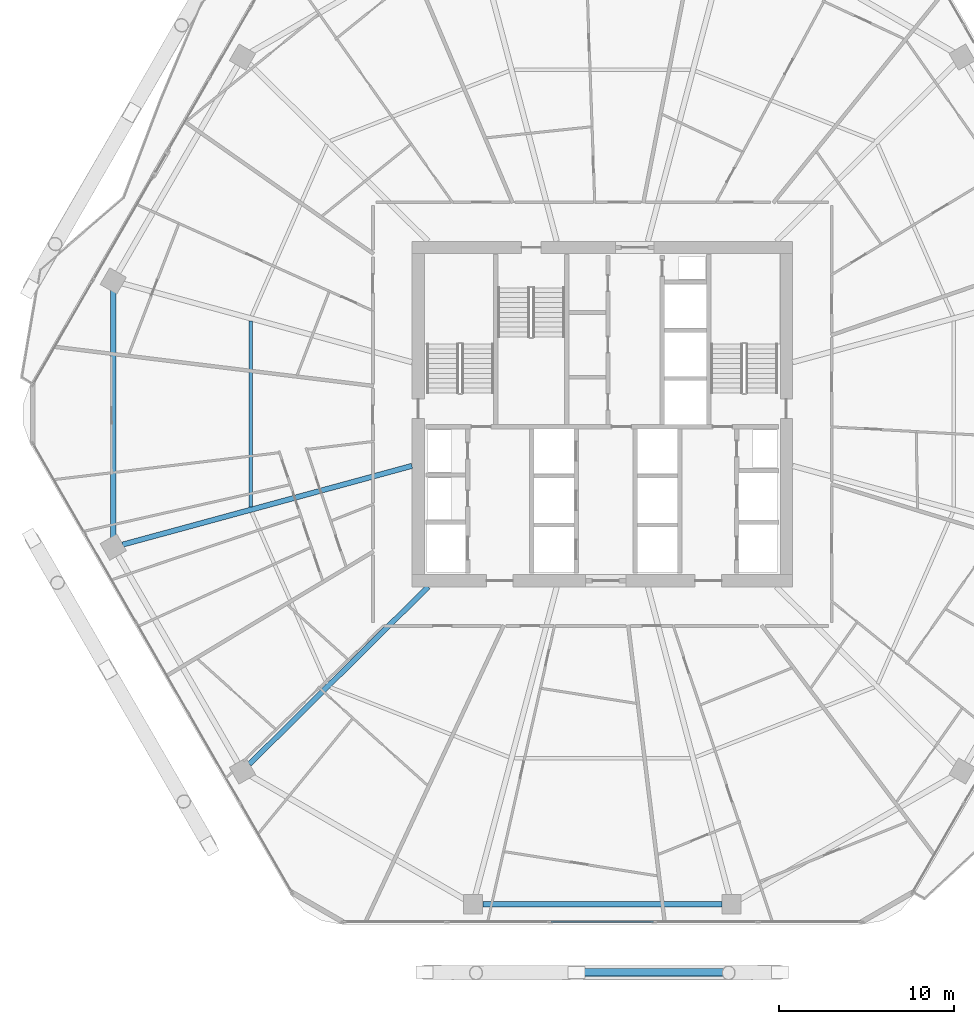
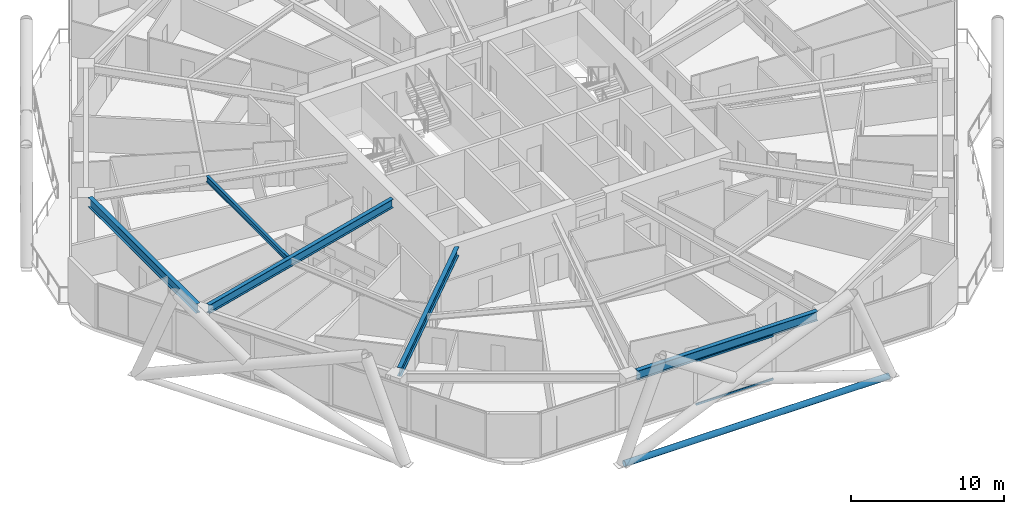
# One storey, part 7 of 36: 5 beams, 3 members, 1 element without a shape of its own.
"""IFC4 building model written with IfcOpenShell, lengths in metres."""

import ifcopenshell
import ifcopenshell.guid

model = None  # the IFC model being written
_history = None  # IfcOwnerHistory: only IFC2X3 demands one
_inside = {}  # id of a spatial element -> (the spatial element, [elements in it])
_under = {}  # id of a project, library or spatial element -> (it, [spatial elements below it])
_declared = {}  # id of a project -> (the project, [libraries it declares])
_typed = {}  # id of a type object -> (the type object, [elements of that type])
_made_of = {}  # id of a material, layer set ... -> (it, [elements and type objects made of it])


def new_model(schema):
    """Start an empty IFC model of exactly this schema.

    Asked for "IFC4X3", IfcOpenShell would pick the latest addendum, in which some entities
    have other attributes; the version numbers below select the first issue.
    IFC2X3 requires an IfcOwnerHistory on every rooted entity: one is made here for all.
    """
    global model, _history
    if schema == "IFC4X3":
        model = ifcopenshell.file(schema_version=(4, 3, 0, 0))
    else:
        model = ifcopenshell.file(schema=schema)
    _inside.clear()
    _under.clear()
    _declared.clear()
    _typed.clear()
    _made_of.clear()
    _history = None
    if model.schema == "IFC2X3":
        org = make("IfcOrganization", Name="unknown")
        user = make(
            "IfcPersonAndOrganization",
            ThePerson=make("IfcPerson", FamilyName="unknown"),
            TheOrganization=org,
        )
        app = make(
            "IfcApplication",
            ApplicationDeveloper=org,
            Version="unknown",
            ApplicationFullName="unknown",
            ApplicationIdentifier="unknown",
        )
        _history = make(
            "IfcOwnerHistory",
            OwningUser=user,
            OwningApplication=app,
            ChangeAction="ADDED",
            CreationDate=0,
        )
    return model


def make(cls, **values):
    """One entity of the class cls with the attributes given. An attribute that is None is left unset."""
    return model.create_entity(
        cls, **{name: value for name, value in values.items() if value is not None}
    )


def rooted(cls, **values):
    """An entity with a GlobalId (a new one), such as an element, a storey or a relation."""
    return make(cls, GlobalId=ifcopenshell.guid.new(), OwnerHistory=_history, **values)


def si_unit(unit_type, name, prefix=None):
    """IfcSIUnit, for example si_unit("LENGTHUNIT", "METRE", prefix="MILLI")."""
    return make("IfcSIUnit", UnitType=unit_type, Prefix=prefix, Name=name)


def assignment(units):
    """IfcUnitAssignment: the units of a project."""
    return None if units is None else make("IfcUnitAssignment", Units=units)


def point(xyz):
    """IfcCartesianPoint."""
    return None if xyz is None else make("IfcCartesianPoint", Coordinates=xyz)


def direction(xyz):
    """IfcDirection."""
    return None if xyz is None else make("IfcDirection", DirectionRatios=xyz)


def frame(location, z_axis=None, x_axis=None):
    """IfcAxis2Placement3D, a coordinate frame: its origin and axes. An axis left out is left unset."""
    return make(
        "IfcAxis2Placement3D",
        Location=point(location),
        Axis=direction(z_axis),
        RefDirection=direction(x_axis),
    )


def frame_2d(location, x_axis=None):
    """IfcAxis2Placement2D, a coordinate frame in the plane: its origin and x axis."""
    return make(
        "IfcAxis2Placement2D", Location=point(location), RefDirection=direction(x_axis)
    )


def origin():
    """The frame at (0, 0, 0) with its axes left unset."""
    return frame((0.0, 0.0, 0.0))


def origin_2d():
    """The frame at (0, 0) in the plane with its x axis left unset."""
    return frame_2d((0.0, 0.0))


def place(relative_to, where):
    """IfcLocalPlacement: puts the frame where relative to a parent placement (None: the world)."""
    return make(
        "IfcLocalPlacement", PlacementRelTo=relative_to, RelativePlacement=where
    )


def context(
    kind, dimensions, precision=None, world=None, true_north=None, identifier=None
):
    """IfcGeometricRepresentationContext, for example the 3D "Model" context."""
    return make(
        "IfcGeometricRepresentationContext",
        ContextIdentifier=identifier,
        ContextType=kind,
        CoordinateSpaceDimension=dimensions,
        Precision=precision,
        WorldCoordinateSystem=world,
        TrueNorth=true_north,
    )


def subcontext(parent, identifier, kind, view, scale=None):
    """IfcGeometricRepresentationSubContext, for example "Body" below "Model"."""
    return make(
        "IfcGeometricRepresentationSubContext",
        ContextIdentifier=identifier,
        ContextType=kind,
        ParentContext=parent,
        TargetScale=scale,
        TargetView=view,
    )


def project(units=None, contexts=None):
    """IfcProject with its units and contexts."""
    return rooted(
        "IfcProject",
        Name="project",
        RepresentationContexts=contexts,
        UnitsInContext=assignment(units),
    )


def spatial(cls, under=None, at=None, **own):
    """A site, building, storey or space (cls), placed at a placement, below another one or the project."""
    s = rooted(cls, ObjectPlacement=at, **own)
    if under is not None:
        _under.setdefault(under.id(), (under, []))[1].append(s)
    return s


def profile(cls, at=None, kind="AREA", **sizes):
    """A parametric profile (cls). Its sizes go by their IFC names, for example OverallWidth=200.0."""
    return make(cls, ProfileType=kind, Position=at, **sizes)


def hollow_rectangle(**sizes):
    """IfcRectangleHollowProfileDef."""
    return profile("IfcRectangleHollowProfileDef", **sizes)


def hollow_circle(**sizes):
    """IfcCircleHollowProfileDef."""
    return profile("IfcCircleHollowProfileDef", **sizes)


def i_section(**sizes):
    """IfcIShapeProfileDef."""
    return profile("IfcIShapeProfileDef", **sizes)


def extrude(swept, where, along, depth):
    """IfcExtrudedAreaSolid: the profile swept, set in the frame where, extruded along a direction by depth."""
    return make(
        "IfcExtrudedAreaSolid",
        SweptArea=swept,
        Position=where,
        ExtrudedDirection=direction(along),
        Depth=depth,
    )


def shape(context_of_items, identifier, shape_type, items):
    """IfcShapeRepresentation: the items that make up one representation, for example the "Body"."""
    return make(
        "IfcShapeRepresentation",
        ContextOfItems=context_of_items,
        RepresentationIdentifier=identifier,
        RepresentationType=shape_type,
        Items=items,
    )


def material(Name=None, Category=None):
    """IfcMaterial."""
    return make("IfcMaterial", Name=Name, Category=Category)


def material_profile(
    of_material, cross_section, Name=None, Category=None, Priority=None
):
    """IfcMaterialProfile: a cross section and its material."""
    return make(
        "IfcMaterialProfile",
        Name=Name,
        Material=of_material,
        Profile=cross_section,
        Priority=Priority,
        Category=Category,
    )


def profile_set(profiles, Name=None, composite=None):
    """IfcMaterialProfileSet."""
    return make(
        "IfcMaterialProfileSet",
        Name=Name,
        MaterialProfiles=profiles,
        CompositeProfile=composite,
    )


def made_of(thing, what):
    """Note that an element or type object is made of a material, layer set ...; save() writes the relation."""
    if what is not None:
        _made_of.setdefault(what.id(), (what, []))[1].append(thing)
    return thing


def type_object(cls, material=None, **own):
    """A type object (cls), such as IfcWallType, which elements share."""
    return made_of(rooted(cls, **own), material)


def element(
    cls,
    number,
    at=None,
    inside=None,
    cuts=None,
    type_object=None,
    material=None,
    context=None,
    identifier="Body",
    shape_type=None,
    held_by="IfcProductDefinitionShape",
    body=None,
    shapes=None,
    **own,
):
    """One element of the class cls, such as IfcWall. Its Tag is "e" and its number.

    at: its placement. inside: the storey or other place that contains it. cuts: it is an
    opening in that element (IfcRelVoidsElement). A single representation is given by context,
    identifier, shape_type and body (its items); several are given by shapes. held_by: the class
    of the entity that holds the representations. save() writes the other relations.
    """
    e = rooted(cls, Tag="e%d" % number, ObjectPlacement=at, **own)
    if body is not None:
        shapes = [shape(context, identifier, shape_type, body)]
    if shapes is not None:
        e.Representation = make(held_by, Representations=shapes)
    if inside is not None:
        _inside.setdefault(inside.id(), (inside, []))[1].append(e)
    if cuts is not None:
        rooted(
            "IfcRelVoidsElement", RelatingBuildingElement=cuts, RelatedOpeningElement=e
        )
    if type_object is not None:
        _typed.setdefault(type_object.id(), (type_object, []))[1].append(e)
    return made_of(e, material)


def aggregate(whole, parts):
    """IfcRelAggregates: a whole, such as a stair, and the parts it consists of."""
    return rooted("IfcRelAggregates", RelatingObject=whole, RelatedObjects=parts)


def save(model, path):
    """Write the relations noted so far, then the file.

    IfcRelAggregates (storeys below a building ...), IfcRelContainedInSpatialStructure (elements
    in a storey), IfcRelDefinesByType, IfcRelAssociatesMaterial and IfcRelDeclares: one each for
    every whole, place, type object, material and project.
    """
    for whole, parts in _under.values():
        aggregate(whole, parts)
    for where, things in _inside.values():
        rooted(
            "IfcRelContainedInSpatialStructure",
            RelatedElements=things,
            RelatingStructure=where,
        )
    for kind, things in _typed.values():
        rooted("IfcRelDefinesByType", RelatedObjects=things, RelatingType=kind)
    for what, things in _made_of.values():
        rooted("IfcRelAssociatesMaterial", RelatedObjects=things, RelatingMaterial=what)
    for by, libraries in _declared.values():
        rooted("IfcRelDeclares", RelatingContext=by, RelatedDefinitions=libraries)
    model.write(path)


model = new_model("IFC4")

# Units and contexts
model_context = context("Model", 3, precision=1e-05, world=origin(), true_north=direction((0.0, 1.0)))
body_context = subcontext(model_context, "Body", "Model", "MODEL_VIEW")
ifc_project = project(units=[si_unit("LENGTHUNIT", "METRE"), si_unit("AREAUNIT", "SQUARE_METRE"), si_unit("VOLUMEUNIT", "CUBIC_METRE"), si_unit("PLANEANGLEUNIT", "RADIAN"), si_unit("MASSUNIT", "GRAM", prefix="KILO")], contexts=[model_context])

# Site, building, storey
site_placement = place(None, origin())
site = spatial("IfcSite", under=ifc_project, at=site_placement, CompositionType="ELEMENT")
building_placement = place(site_placement, origin())
building = spatial("IfcBuilding", under=site, at=building_placement, Name="Zuhravey Tower", CompositionType="ELEMENT")
storey_placement = place(building_placement, frame((0.0, 0.0, 107.60009765625)))
storey = spatial("IfcBuildingStorey", under=building, at=storey_placement, Name="L26", CompositionType="ELEMENT", Elevation=107.60009765625)

# Curtain wall, members
ifc_material_1 = material(Name="Thermally broken anodised aluminium", Category="aluminium")
curtain_wall_type = type_object("IfcCurtainWallType", Name="Zone 1-2 Residential Curtain Wall CW3", PredefinedType="NOTDEFINED", material=ifc_material_1)
curtain_wall_placement = place(storey_placement, origin())
curtain_wall = element("IfcCurtainWall", 1, at=curtain_wall_placement, inside=storey, type_object=curtain_wall_type, Name="L26 CW3 CW-L26-F5-1", PredefinedType="NOTDEFINED")
ifc_material_2 = material(Name="Anodised aluminium", Category="aluminium")
ifc_material_profile_1 = material_profile(ifc_material_2, hollow_rectangle(XDim=0.090087890625, YDim=0.14990234375, WallThickness=0.0048828125, at=origin_2d()), Name="ALU-RHS-90x150x5")
ifc_profile_set_1 = profile_set([ifc_material_profile_1], Name="Anodised aluminium")
member_type_1 = type_object("IfcMemberType", Name="Curtain-Wall Transom 90x150", PredefinedType="USERDEFINED", material=ifc_profile_set_1)
member_1_placement = place(storey_placement, frame((38.914794921875, 3.04150390625, 0.044921875), z_axis=(-1.0, 0.0, 0.0), x_axis=(0.0, -1.0, 0.0)))
member_1 = element("IfcMember", 2, at=member_1_placement, type_object=member_type_1, Name="CW3 transom 3.1", ObjectType="TRANSOM", PredefinedType="USERDEFINED", context=body_context, shape_type="SweptSolid", body=[
    extrude(hollow_rectangle(XDim=0.090087890625, YDim=0.14990234375, WallThickness=0.0048828125, at=origin_2d()), origin(), (0.0, 0.0, 1.0), 5.82958984375),
])
member_2_placement = place(storey_placement, frame((38.914794921875, 3.04150390625, 3.5048828125), z_axis=(-1.0, 0.0, 0.0), x_axis=(0.0, -1.0, 0.0)))
member_2 = element("IfcMember", 3, at=member_2_placement, type_object=member_type_1, Name="CW3 transom 3.2", ObjectType="TRANSOM", PredefinedType="USERDEFINED", context=body_context, shape_type="SweptSolid", body=[
    extrude(hollow_rectangle(XDim=0.090087890625, YDim=0.14990234375, WallThickness=0.0048828125, at=origin_2d()), origin(), (0.0, 0.0, 1.0), 5.82958984375),
])
aggregate(curtain_wall, [member_1, member_2])

# Member
ifc_material_3 = material(Name="Steel SM355", Category="steel")
ifc_material_profile_2 = material_profile(ifc_material_3, hollow_circle(Radius=0.228515625, WallThickness=0.02197265625, at=origin_2d()), Name="CHS-457.2x22")
ifc_profile_set_2 = profile_set([ifc_material_profile_2], Name="Steel SM355")
member_type_2 = type_object("IfcMemberType", Name="Exoskeleton Ring Tie CHS457x22", PredefinedType="CHORD", material=ifc_profile_set_2)
member_3_placement = place(storey_placement, frame((26.003173828125, 0.16162109375, -0.464111328125), z_axis=(1.0, 0.0, 0.0), x_axis=(0.0, 1.0, 0.0)))
element("IfcMember", 4, at=member_3_placement, inside=storey, type_object=member_type_2, Name="L26 Exoskeleton Face 5 Tie EXR1", PredefinedType="CHORD", context=body_context, shape_type="SweptSolid", body=[
    extrude(hollow_circle(Radius=0.228515625, WallThickness=0.02197265625, at=origin_2d()), origin(), (0.0, 0.0, 1.0), 19.99365234375),
])

# Beams
ifc_material_profile_3 = material_profile(ifc_material_3, i_section(OverallWidth=0.320068359375, OverallDepth=0.75, WebThickness=0.013916015625, FlangeThickness=0.02490234375, at=origin_2d()), Name="H-750x320x14x25")
ifc_profile_set_3 = profile_set([ifc_material_profile_3], Name="Steel SM355")
beam_type_1 = type_object("IfcBeamType", Name="Perimeter Ring Beam H750x320", PredefinedType="BEAM", material=ifc_profile_set_3)
beam_1_placement = place(storey_placement, frame((8.11083984375, 39.03857421875, 3.1748046875), z_axis=(0.0, -1.0, 0.0), x_axis=(1.0, 0.0, 0.0)))
element("IfcBeam", 5, at=beam_1_placement, inside=storey, type_object=beam_type_1, Name="L26 PB1 BM-L26-PB-06", PredefinedType="BEAM", context=body_context, shape_type="SweptSolid", body=[
    extrude(i_section(OverallWidth=0.320068359375, OverallDepth=0.75, WebThickness=0.013916015625, FlangeThickness=0.02490234375, at=origin_2d()), origin(), (0.0, 0.0, 1.0), 14.0771484375),
])
beam_2_placement = place(storey_placement, frame((29.18310546875, 4.051513671875, 3.1748046875), z_axis=(1.0, 0.0, 0.0), x_axis=(0.0, 1.0, 0.0)))
element("IfcBeam", 6, at=beam_2_placement, inside=storey, type_object=beam_type_1, Name="L26 PB1 BM-L26-PB-09", PredefinedType="BEAM", context=body_context, shape_type="SweptSolid", body=[
    extrude(i_section(OverallWidth=0.320068359375, OverallDepth=0.75, WebThickness=0.013916015625, FlangeThickness=0.02490234375, at=origin_2d()), origin(), (0.0, 0.0, 1.0), 13.6337890625),
])
ifc_material_profile_4 = material_profile(ifc_material_3, i_section(OverallWidth=0.300048828125, OverallDepth=0.699951171875, WebThickness=0.012939453125, FlangeThickness=0.02392578125, at=origin_2d()), Name="H-700x300x13x24")
ifc_profile_set_4 = profile_set([ifc_material_profile_4], Name="Steel SM355")
beam_type_2 = type_object("IfcBeamType", Name="Radial Primary Girder H700x300", PredefinedType="BEAM", material=ifc_profile_set_4)
beam_3_placement = place(storey_placement, frame((25.14697265625, 29.045654296875, 3.199951171875), z_axis=(-0.964893166225, -0.262642680791, 0.0), x_axis=(0.262642680791, -0.964893166225, 0.0)))
element("IfcBeam", 7, at=beam_3_placement, inside=storey, type_object=beam_type_2, Name="L26 RG1 BM-L26-RAD-07", PredefinedType="BEAM", context=body_context, shape_type="SweptSolid", body=[
    extrude(i_section(OverallWidth=0.300048828125, OverallDepth=0.699951171875, WebThickness=0.012939453125, FlangeThickness=0.02392578125, at=origin_2d()), origin(), (0.0, 0.0, 1.0), 17.102783203125),
])
beam_4_placement = place(storey_placement, frame((26.068603515625, 22.14697265625, 3.199951171875), z_axis=(-0.709906230344, -0.704296204816, 0.0), x_axis=(0.704296204816, -0.709906230344, 0.0)))
element("IfcBeam", 8, at=beam_4_placement, inside=storey, type_object=beam_type_2, Name="L26 RG1 BM-L26-RAD-08", PredefinedType="BEAM", context=body_context, shape_type="SweptSolid", body=[
    extrude(i_section(OverallWidth=0.300048828125, OverallDepth=0.699951171875, WebThickness=0.012939453125, FlangeThickness=0.02392578125, at=origin_2d()), origin(), (0.0, 0.0, 1.0), 14.361083984375),
])
ifc_material_profile_5 = material_profile(ifc_material_3, i_section(OverallWidth=0.199951171875, OverallDepth=0.449951171875, WebThickness=0.009033203125, FlangeThickness=0.013916015625, at=origin_2d()), Name="H-450x200x9x14")
ifc_profile_set_5 = profile_set([ifc_material_profile_5], Name="Steel SM355")
beam_type_3 = type_object("IfcBeamType", Name="Secondary Floor Joist H450x200", PredefinedType="JOIST", material=ifc_profile_set_5)
beam_5_placement = place(storey_placement, frame((15.947509765625, 37.304443359375, 3.324951171875), z_axis=(0.0, -1.0, 0.0), x_axis=(1.0, 0.0, 0.0)))
element("IfcBeam", 9, at=beam_5_placement, inside=storey, type_object=beam_type_3, Name="L26 SJ1 BM-L26-SJ-06-1", PredefinedType="JOIST", context=body_context, shape_type="SweptSolid", body=[
    extrude(i_section(OverallWidth=0.199951171875, OverallDepth=0.449951171875, WebThickness=0.009033203125, FlangeThickness=0.013916015625, at=origin_2d()), origin(), (0.0, 0.0, 1.0), 10.60888671875),
])

save(model, "model.ifc")
